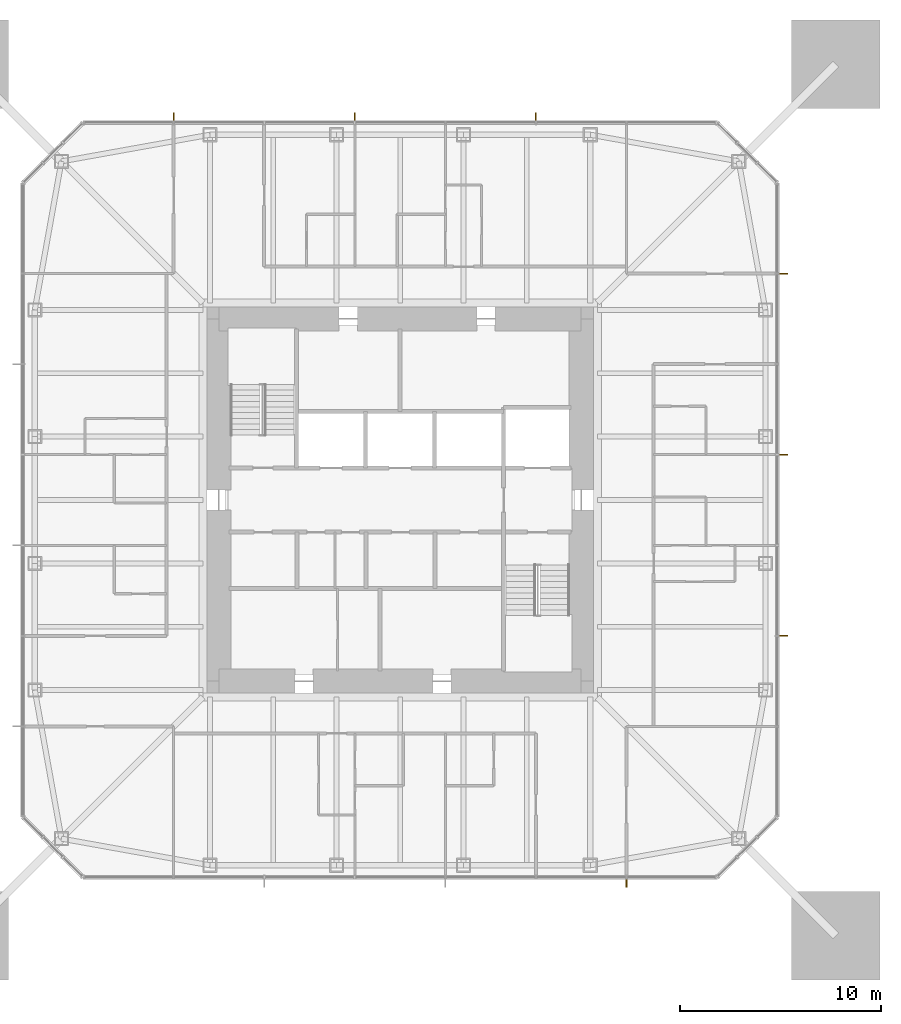
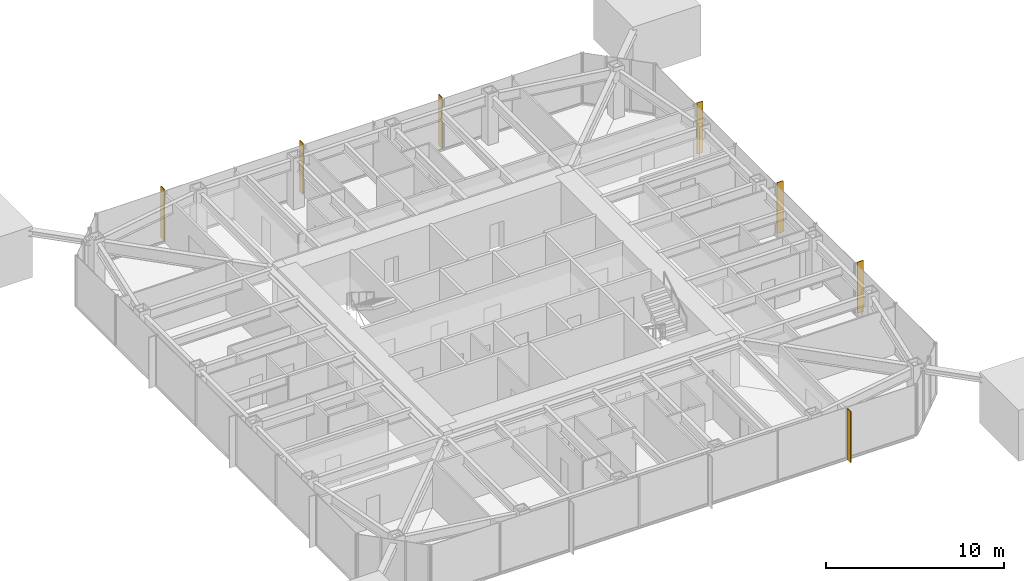
# One storey, part 11 of 11: 7 shading devices.
"""IFC4 building model written with IfcOpenShell, lengths in metres."""

import ifcopenshell
import ifcopenshell.guid

model = None  # the IFC model being written
_history = None  # IfcOwnerHistory: only IFC2X3 demands one
_inside = {}  # id of a spatial element -> (the spatial element, [elements in it])
_under = {}  # id of a project, library or spatial element -> (it, [spatial elements below it])
_declared = {}  # id of a project -> (the project, [libraries it declares])
_typed = {}  # id of a type object -> (the type object, [elements of that type])
_made_of = {}  # id of a material, layer set ... -> (it, [elements and type objects made of it])


def new_model(schema):
    """Start an empty IFC model of exactly this schema.

    Asked for "IFC4X3", IfcOpenShell would pick the latest addendum, in which some entities
    have other attributes; the version numbers below select the first issue.
    IFC2X3 requires an IfcOwnerHistory on every rooted entity: one is made here for all.
    """
    global model, _history
    if schema == "IFC4X3":
        model = ifcopenshell.file(schema_version=(4, 3, 0, 0))
    else:
        model = ifcopenshell.file(schema=schema)
    _inside.clear()
    _under.clear()
    _declared.clear()
    _typed.clear()
    _made_of.clear()
    _history = None
    if model.schema == "IFC2X3":
        org = make("IfcOrganization", Name="unknown")
        user = make(
            "IfcPersonAndOrganization",
            ThePerson=make("IfcPerson", FamilyName="unknown"),
            TheOrganization=org,
        )
        app = make(
            "IfcApplication",
            ApplicationDeveloper=org,
            Version="unknown",
            ApplicationFullName="unknown",
            ApplicationIdentifier="unknown",
        )
        _history = make(
            "IfcOwnerHistory",
            OwningUser=user,
            OwningApplication=app,
            ChangeAction="ADDED",
            CreationDate=0,
        )
    return model


def make(cls, **values):
    """One entity of the class cls with the attributes given. An attribute that is None is left unset."""
    return model.create_entity(
        cls, **{name: value for name, value in values.items() if value is not None}
    )


def rooted(cls, **values):
    """An entity with a GlobalId (a new one), such as an element, a storey or a relation."""
    return make(cls, GlobalId=ifcopenshell.guid.new(), OwnerHistory=_history, **values)


def si_unit(unit_type, name, prefix=None):
    """IfcSIUnit, for example si_unit("LENGTHUNIT", "METRE", prefix="MILLI")."""
    return make("IfcSIUnit", UnitType=unit_type, Prefix=prefix, Name=name)


def assignment(units):
    """IfcUnitAssignment: the units of a project."""
    return None if units is None else make("IfcUnitAssignment", Units=units)


def point(xyz):
    """IfcCartesianPoint."""
    return None if xyz is None else make("IfcCartesianPoint", Coordinates=xyz)


def direction(xyz):
    """IfcDirection."""
    return None if xyz is None else make("IfcDirection", DirectionRatios=xyz)


def frame(location, z_axis=None, x_axis=None):
    """IfcAxis2Placement3D, a coordinate frame: its origin and axes. An axis left out is left unset."""
    return make(
        "IfcAxis2Placement3D",
        Location=point(location),
        Axis=direction(z_axis),
        RefDirection=direction(x_axis),
    )


def frame_2d(location, x_axis=None):
    """IfcAxis2Placement2D, a coordinate frame in the plane: its origin and x axis."""
    return make(
        "IfcAxis2Placement2D", Location=point(location), RefDirection=direction(x_axis)
    )


def origin():
    """The frame at (0, 0, 0) with its axes left unset."""
    return frame((0.0, 0.0, 0.0))


def origin_2d():
    """The frame at (0, 0) in the plane with its x axis left unset."""
    return frame_2d((0.0, 0.0))


def place(relative_to, where):
    """IfcLocalPlacement: puts the frame where relative to a parent placement (None: the world)."""
    return make(
        "IfcLocalPlacement", PlacementRelTo=relative_to, RelativePlacement=where
    )


def context(
    kind, dimensions, precision=None, world=None, true_north=None, identifier=None
):
    """IfcGeometricRepresentationContext, for example the 3D "Model" context."""
    return make(
        "IfcGeometricRepresentationContext",
        ContextIdentifier=identifier,
        ContextType=kind,
        CoordinateSpaceDimension=dimensions,
        Precision=precision,
        WorldCoordinateSystem=world,
        TrueNorth=true_north,
    )


def subcontext(parent, identifier, kind, view, scale=None):
    """IfcGeometricRepresentationSubContext, for example "Body" below "Model"."""
    return make(
        "IfcGeometricRepresentationSubContext",
        ContextIdentifier=identifier,
        ContextType=kind,
        ParentContext=parent,
        TargetScale=scale,
        TargetView=view,
    )


def project(units=None, contexts=None):
    """IfcProject with its units and contexts."""
    return rooted(
        "IfcProject",
        Name="project",
        RepresentationContexts=contexts,
        UnitsInContext=assignment(units),
    )


def spatial(cls, under=None, at=None, **own):
    """A site, building, storey or space (cls), placed at a placement, below another one or the project."""
    s = rooted(cls, ObjectPlacement=at, **own)
    if under is not None:
        _under.setdefault(under.id(), (under, []))[1].append(s)
    return s


def profile(cls, at=None, kind="AREA", **sizes):
    """A parametric profile (cls). Its sizes go by their IFC names, for example OverallWidth=200.0."""
    return make(cls, ProfileType=kind, Position=at, **sizes)


def rectangle(**sizes):
    """IfcRectangleProfileDef."""
    return profile("IfcRectangleProfileDef", **sizes)


def extrude(swept, where, along, depth):
    """IfcExtrudedAreaSolid: the profile swept, set in the frame where, extruded along a direction by depth."""
    return make(
        "IfcExtrudedAreaSolid",
        SweptArea=swept,
        Position=where,
        ExtrudedDirection=direction(along),
        Depth=depth,
    )


def shape(context_of_items, identifier, shape_type, items):
    """IfcShapeRepresentation: the items that make up one representation, for example the "Body"."""
    return make(
        "IfcShapeRepresentation",
        ContextOfItems=context_of_items,
        RepresentationIdentifier=identifier,
        RepresentationType=shape_type,
        Items=items,
    )


def material(Name=None, Category=None):
    """IfcMaterial."""
    return make("IfcMaterial", Name=Name, Category=Category)


def layer(
    of_material, thickness, ventilated=None, Name=None, Category=None, Priority=None
):
    """IfcMaterialLayer: one layer of a wall or slab, of a material (None: an air gap)."""
    return make(
        "IfcMaterialLayer",
        Material=of_material,
        LayerThickness=thickness,
        IsVentilated=ventilated,
        Name=Name,
        Category=Category,
        Priority=Priority,
    )


def layer_set(layers, Name=None):
    """IfcMaterialLayerSet."""
    return make("IfcMaterialLayerSet", MaterialLayers=layers, LayerSetName=Name)


def made_of(thing, what):
    """Note that an element or type object is made of a material, layer set ...; save() writes the relation."""
    if what is not None:
        _made_of.setdefault(what.id(), (what, []))[1].append(thing)
    return thing


def type_object(cls, material=None, **own):
    """A type object (cls), such as IfcWallType, which elements share."""
    return made_of(rooted(cls, **own), material)


def element(
    cls,
    number,
    at=None,
    inside=None,
    cuts=None,
    type_object=None,
    material=None,
    context=None,
    identifier="Body",
    shape_type=None,
    held_by="IfcProductDefinitionShape",
    body=None,
    shapes=None,
    **own,
):
    """One element of the class cls, such as IfcWall. Its Tag is "e" and its number.

    at: its placement. inside: the storey or other place that contains it. cuts: it is an
    opening in that element (IfcRelVoidsElement). A single representation is given by context,
    identifier, shape_type and body (its items); several are given by shapes. held_by: the class
    of the entity that holds the representations. save() writes the other relations.
    """
    e = rooted(cls, Tag="e%d" % number, ObjectPlacement=at, **own)
    if body is not None:
        shapes = [shape(context, identifier, shape_type, body)]
    if shapes is not None:
        e.Representation = make(held_by, Representations=shapes)
    if inside is not None:
        _inside.setdefault(inside.id(), (inside, []))[1].append(e)
    if cuts is not None:
        rooted(
            "IfcRelVoidsElement", RelatingBuildingElement=cuts, RelatedOpeningElement=e
        )
    if type_object is not None:
        _typed.setdefault(type_object.id(), (type_object, []))[1].append(e)
    return made_of(e, material)


def aggregate(whole, parts):
    """IfcRelAggregates: a whole, such as a stair, and the parts it consists of."""
    return rooted("IfcRelAggregates", RelatingObject=whole, RelatedObjects=parts)


def save(model, path):
    """Write the relations noted so far, then the file.

    IfcRelAggregates (storeys below a building ...), IfcRelContainedInSpatialStructure (elements
    in a storey), IfcRelDefinesByType, IfcRelAssociatesMaterial and IfcRelDeclares: one each for
    every whole, place, type object, material and project.
    """
    for whole, parts in _under.values():
        aggregate(whole, parts)
    for where, things in _inside.values():
        rooted(
            "IfcRelContainedInSpatialStructure",
            RelatedElements=things,
            RelatingStructure=where,
        )
    for kind, things in _typed.values():
        rooted("IfcRelDefinesByType", RelatedObjects=things, RelatingType=kind)
    for what, things in _made_of.values():
        rooted("IfcRelAssociatesMaterial", RelatedObjects=things, RelatingMaterial=what)
    for by, libraries in _declared.values():
        rooted("IfcRelDeclares", RelatingContext=by, RelatedDefinitions=libraries)
    model.write(path)


model = new_model("IFC4")

# Units and contexts
model_context = context("Model", 3, precision=1e-05, world=origin(), true_north=direction((0.0, 1.0)))
body_context = subcontext(model_context, "Body", "Model", "MODEL_VIEW")
ifc_project = project(units=[si_unit("LENGTHUNIT", "METRE"), si_unit("AREAUNIT", "SQUARE_METRE"), si_unit("VOLUMEUNIT", "CUBIC_METRE"), si_unit("PLANEANGLEUNIT", "RADIAN"), si_unit("MASSUNIT", "GRAM", prefix="KILO")], contexts=[model_context])

# Site, building, storey
site_placement = place(None, origin())
site = spatial("IfcSite", under=ifc_project, at=site_placement, CompositionType="ELEMENT")
building_placement = place(site_placement, origin())
building = spatial("IfcBuilding", under=site, at=building_placement, Name="Iwan Alto Co-Living Towers", CompositionType="ELEMENT")
storey_placement = place(building_placement, frame((0.0, 0.0, 163.5)))
storey = spatial("IfcBuildingStorey", under=building, at=storey_placement, Name="L44", CompositionType="ELEMENT", Elevation=163.5)

# Shading devices
ifc_material = material(Name="Aluminium 6063-T6 bronze anodised", Category="aluminium")
ifc_layer = layer(ifc_material, 0.050048828125)
ifc_layer_set = layer_set([ifc_layer], Name="BRONZE FIN 50X400")
shading_device_type = type_object("IfcShadingDeviceType", Name="BRONZE FIN 50X400", PredefinedType="USERDEFINED", material=ifc_layer_set)
for number, where, z_axis, x_axis, name in (
    (1, (11.25, -19.050048828125, 0.0), (0.0, 0.0, 1.0), (1.0, 0.0, 0.0), "Bronze fin L44"),
    (2, (19.050048828125, -6.75, 0.0), (0.0, 0.0, 1.0), (0.0, 1.0, 0.0), "Bronze fin L44"),
    (3, (19.050048828125, 2.25, 0.0), (0.0, 0.0, 1.0), (0.0, 1.0, 0.0), "Bronze fin L44"),
    (4, (19.050048828125, 11.25, 0.0), (0.0, 0.0, 1.0), (0.0, 1.0, 0.0), "Bronze fin L44"),
    (5, (6.75, 19.050048828125, 0.0), (0.0, 0.0, 1.0), (-1.0, 0.0, 0.0), "Bronze fin L44"),
    (6, (-2.25, 19.050048828125, 0.0), (0.0, 0.0, 1.0), (-1.0, 0.0, 0.0), "Bronze fin L44"),
    (7, (-11.25, 19.050048828125, 0.0), (0.0, 0.0, 1.0), (-1.0, 0.0, 0.0), "Bronze fin L44"),
):
    element("IfcShadingDevice", number, at=place(storey_placement, frame(where, z_axis=z_axis, x_axis=x_axis)), inside=storey, type_object=shading_device_type, Name=name, ObjectType="LOUVER", PredefinedType="USERDEFINED", context=body_context, shape_type="SweptSolid", body=[
        extrude(rectangle(XDim=0.050048828125, YDim=0.39990234375, at=origin_2d()), origin(), (0.0, 0.0, 1.0), 3.5),
    ])

save(model, "model.ifc")
